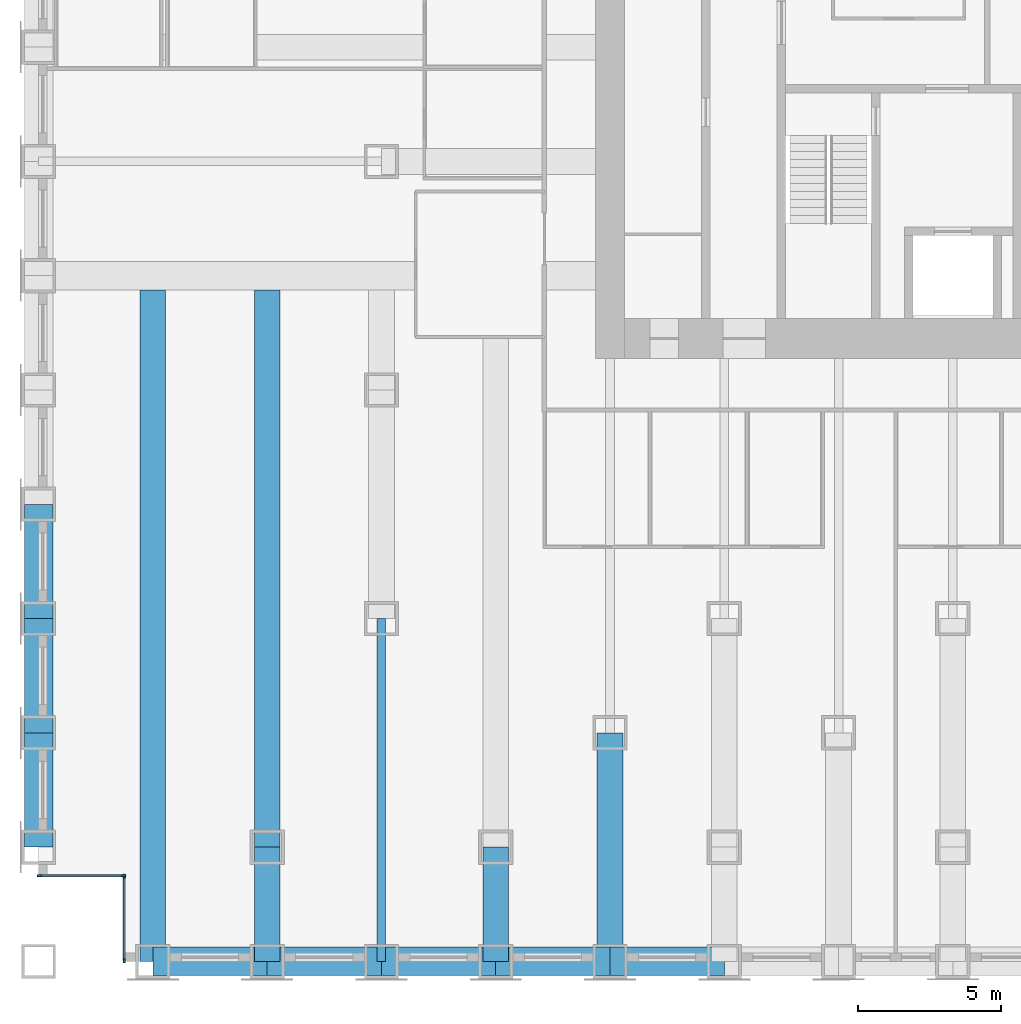
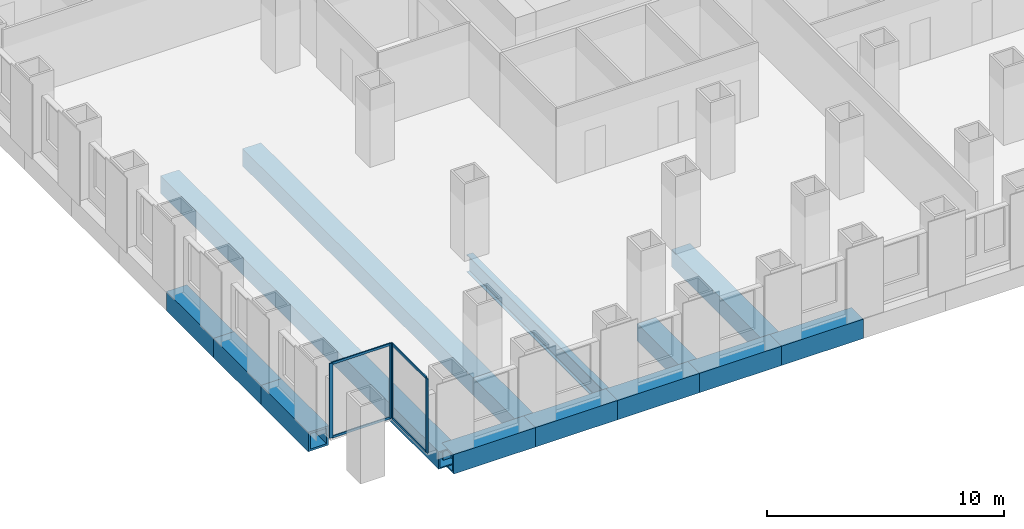
# One storey, part 2 of 15: 14 beams, 8 members, 2 elements without a shape of their own.
"""IFC4 building model written with IfcOpenShell, lengths in metres."""

from ifc_helpers import new_model, si_unit, direction, frame, origin, origin_2d, place, context, subcontext, project, spatial, rectangle, hollow_rectangle, i_section, extrude, material, material_profile, profile_set, type_object, element, aggregate, save


model = new_model("IFC4")

# Units and contexts
model_context = context("Model", 3, precision=1e-05, world=origin(), true_north=direction((0.0, 1.0)))
body_context = subcontext(model_context, "Body", "Model", "MODEL_VIEW")
ifc_project = project(units=[si_unit("LENGTHUNIT", "METRE"), si_unit("AREAUNIT", "SQUARE_METRE"), si_unit("VOLUMEUNIT", "CUBIC_METRE"), si_unit("PLANEANGLEUNIT", "RADIAN"), si_unit("MASSUNIT", "GRAM", prefix="KILO")], contexts=[model_context])

# Site, building, storey
site_placement = place(None, origin())
site = spatial("IfcSite", under=ifc_project, at=site_placement, CompositionType="ELEMENT")
building_placement = place(site_placement, origin())
building = spatial("IfcBuilding", under=site, at=building_placement, Name="Rimbunsela Tower", CompositionType="ELEMENT")
storey_placement = place(building_placement, frame((0.0, 0.0, 23.0)))
storey = spatial("IfcBuildingStorey", under=building, at=storey_placement, Name="L05", CompositionType="ELEMENT", Elevation=23.0)

# Beams
ifc_material_1 = material(Name="Steel BJ 55 (fy 410 MPa)", Category="steel")
ifc_material_profile_1 = material_profile(ifc_material_1, hollow_rectangle(XDim=1.0, YDim=1.0, WallThickness=0.10009765625, at=origin_2d()), Name="BOX 1000x1000x100")
ifc_profile_set_1 = profile_set([ifc_material_profile_1], Name="Steel BJ 55 (fy 410 MPa)")
beam_type_1 = type_object("IfcBeamType", Name="Beam BOX 1000x1000x100", PredefinedType="BEAM", material=ifc_profile_set_1)
for number, where, z_axis, x_axis, name in (
    (1, (-2.0, 0.0, -0.64990234375), (0.0, 1.0, 0.0), (-1.0, 0.0, 0.0), "Beam B3 L05"),
    (2, (-2.0, 4.0, -0.64990234375), (0.0, 1.0, 0.0), (-1.0, 0.0, 0.0), "Beam B3 L05"),
    (3, (-2.0, 8.0, -0.64990234375), (0.0, 1.0, 0.0), (-1.0, 0.0, 0.0), "Beam B3 L05"),
    (4, (2.0, -4.0, -0.64990234375), (1.0, 0.0, 0.0), (0.0, 1.0, 0.0), "Beam B3 L05"),
    (5, (6.0, -4.0, -0.64990234375), (1.0, 0.0, 0.0), (0.0, 1.0, 0.0), "Beam B3 L05"),
    (6, (10.0, -4.0, -0.64990234375), (1.0, 0.0, 0.0), (0.0, 1.0, 0.0), "Beam B3 L05"),
    (7, (14.0, -4.0, -0.64990234375), (1.0, 0.0, 0.0), (0.0, 1.0, 0.0), "Beam B3 L05"),
    (8, (18.0, -4.0, -0.64990234375), (1.0, 0.0, 0.0), (0.0, 1.0, 0.0), "Beam B3 L05"),
):
    element("IfcBeam", number, at=place(storey_placement, frame(where, z_axis=z_axis, x_axis=x_axis)), inside=storey, type_object=beam_type_1, Name=name, PredefinedType="BEAM", context=body_context, shape_type="SweptSolid", body=[
        extrude(hollow_rectangle(XDim=1.0, YDim=1.0, WallThickness=0.10009765625, at=origin_2d()), origin(), (0.0, 0.0, 1.0), 4.0),
    ])
ifc_material_2 = material(Name="Steel BJ 55 (fy 410 MPa)", Category="steel")
ifc_material_profile_2 = material_profile(ifc_material_2, hollow_rectangle(XDim=0.89990234375, YDim=0.89990234375, WallThickness=0.06005859375, at=origin_2d()), Name="BOX 900x900x60")
ifc_profile_set_2 = profile_set([ifc_material_profile_2], Name="Steel BJ 55 (fy 410 MPa)")
beam_type_2 = type_object("IfcBeamType", Name="Beam BOX 900x900x60", PredefinedType="BEAM", material=ifc_profile_set_2)
beam_1_placement = place(storey_placement, frame((2.0, -4.0, -0.60009765625), z_axis=(0.0, 1.0, 0.0), x_axis=(-1.0, 0.0, 0.0)))
element("IfcBeam", 9, at=beam_1_placement, inside=storey, type_object=beam_type_2, Name="Beam B1 L05", PredefinedType="BEAM", context=body_context, shape_type="SweptSolid", body=[
    extrude(hollow_rectangle(XDim=0.89990234375, YDim=0.89990234375, WallThickness=0.06005859375, at=origin_2d()), origin(), (0.0, 0.0, 1.0), 23.5),
])
beam_2_placement = place(storey_placement, frame((6.0, -4.0, -0.60009765625), z_axis=(0.0, 1.0, 0.0), x_axis=(-1.0, 0.0, 0.0)))
element("IfcBeam", 10, at=beam_2_placement, inside=storey, type_object=beam_type_2, Name="Beam B1 L05", PredefinedType="BEAM", context=body_context, shape_type="SweptSolid", body=[
    extrude(hollow_rectangle(XDim=0.89990234375, YDim=0.89990234375, WallThickness=0.06005859375, at=origin_2d()), origin(), (0.0, 0.0, 1.0), 4.0),
])
beam_3_placement = place(storey_placement, frame((6.0, 0.0, -0.60009765625), z_axis=(0.0, 1.0, 0.0), x_axis=(-1.0, 0.0, 0.0)))
element("IfcBeam", 11, at=beam_3_placement, inside=storey, type_object=beam_type_2, Name="Beam B1 L05", PredefinedType="BEAM", context=body_context, shape_type="SweptSolid", body=[
    extrude(hollow_rectangle(XDim=0.89990234375, YDim=0.89990234375, WallThickness=0.06005859375, at=origin_2d()), origin(), (0.0, 0.0, 1.0), 19.5),
])
beam_4_placement = place(storey_placement, frame((14.0, -4.0, -0.60009765625), z_axis=(0.0, 1.0, 0.0), x_axis=(-1.0, 0.0, 0.0)))
element("IfcBeam", 12, at=beam_4_placement, inside=storey, type_object=beam_type_2, Name="Beam B1 L05", PredefinedType="BEAM", context=body_context, shape_type="SweptSolid", body=[
    extrude(hollow_rectangle(XDim=0.89990234375, YDim=0.89990234375, WallThickness=0.06005859375, at=origin_2d()), origin(), (0.0, 0.0, 1.0), 4.0),
])
beam_5_placement = place(storey_placement, frame((18.0, -4.0, -0.60009765625), z_axis=(0.0, 1.0, 0.0), x_axis=(-1.0, 0.0, 0.0)))
element("IfcBeam", 13, at=beam_5_placement, inside=storey, type_object=beam_type_2, Name="Beam B1 L05", PredefinedType="BEAM", context=body_context, shape_type="SweptSolid", body=[
    extrude(hollow_rectangle(XDim=0.89990234375, YDim=0.89990234375, WallThickness=0.06005859375, at=origin_2d()), origin(), (0.0, 0.0, 1.0), 8.0),
])
ifc_material_3 = material(Name="Steel BJ 55 (fy 410 MPa)", Category="steel")
ifc_material_profile_3 = material_profile(ifc_material_3, i_section(OverallWidth=0.300048828125, OverallDepth=0.89990234375, WebThickness=0.01611328125, FlangeThickness=0.028076171875, FilletRadius=0.028076171875, at=origin_2d()), Name="H 900x300x16x28")
ifc_profile_set_3 = profile_set([ifc_material_profile_3], Name="Steel BJ 55 (fy 410 MPa)")
beam_type_3 = type_object("IfcBeamType", Name="Beam H 900x300x16x28", PredefinedType="BEAM", material=ifc_profile_set_3)
beam_6_placement = place(storey_placement, frame((10.0, -4.0, -0.60009765625), z_axis=(0.0, 1.0, 0.0), x_axis=(-1.0, 0.0, 0.0)))
element("IfcBeam", 14, at=beam_6_placement, inside=storey, type_object=beam_type_3, Name="Beam B2 L05", PredefinedType="BEAM", context=body_context, shape_type="SweptSolid", body=[
    extrude(i_section(OverallWidth=0.300048828125, OverallDepth=0.89990234375, WebThickness=0.01611328125, FlangeThickness=0.028076171875, FilletRadius=0.028076171875, at=origin_2d()), origin(), (0.0, 0.0, 1.0), 12.0),
])

# Curtain wall, members
ifc_material_4 = material(Name="Aluminium curtain wall", Category="aluminium")
curtain_wall_type = type_object("IfcCurtainWallType", Name="Corner glazing", PredefinedType="USERDEFINED", material=ifc_material_4)
curtain_wall_1_placement = place(storey_placement, origin())
curtain_wall_1 = element("IfcCurtainWall", 15, at=curtain_wall_1_placement, inside=storey, type_object=curtain_wall_type, Name="Corner glazing L05", ObjectType="CORNER GLAZING", PredefinedType="USERDEFINED")
ifc_material_5 = material(Name="Aluminium mullion", Category="aluminium")
ifc_material_profile_4 = material_profile(ifc_material_5, rectangle(XDim=0.06005859375, YDim=0.159912109375, at=origin_2d()), Name="Mullion 60x160")
ifc_profile_set_4 = profile_set([ifc_material_profile_4], Name="Aluminium mullion")
member_type_1 = type_object("IfcMemberType", Name="Curtain wall mullion 60x160", PredefinedType="MULLION", material=ifc_profile_set_4)
member_1_placement = place(storey_placement, frame((-1.969970703125, -1.0, 0.0), z_axis=(0.0, 0.0, 1.0), x_axis=(0.0, 1.0, 0.0)))
member_1 = element("IfcMember", 16, at=member_1_placement, type_object=member_type_1, Name="CW5 mullion 1", PredefinedType="MULLION", context=body_context, shape_type="SweptSolid", body=[
    extrude(rectangle(XDim=0.06005859375, YDim=0.159912109375, at=origin_2d()), origin(), (0.0, 0.0, 1.0), 3.85009765625),
])
member_2_placement = place(storey_placement, frame((0.969970703125, -1.0, 0.0), z_axis=(0.0, 0.0, 1.0), x_axis=(0.0, 1.0, 0.0)))
member_2 = element("IfcMember", 17, at=member_2_placement, type_object=member_type_1, Name="CW5 mullion 2", PredefinedType="MULLION", context=body_context, shape_type="SweptSolid", body=[
    extrude(rectangle(XDim=0.06005859375, YDim=0.159912109375, at=origin_2d()), origin(), (0.0, 0.0, 1.0), 3.85009765625),
])

curtain_wall_2_placement = place(storey_placement, origin())
curtain_wall_2 = element("IfcCurtainWall", 18, at=curtain_wall_2_placement, inside=storey, type_object=curtain_wall_type, Name="Corner glazing L05", ObjectType="CORNER GLAZING", PredefinedType="USERDEFINED")
member_3_placement = place(storey_placement, frame((1.0, -1.030029296875, 0.0), z_axis=(0.0, 0.0, 1.0), x_axis=(1.0, 0.0, 0.0)))
member_3 = element("IfcMember", 19, at=member_3_placement, type_object=member_type_1, Name="CW5 mullion 1", PredefinedType="MULLION", context=body_context, shape_type="SweptSolid", body=[
    extrude(rectangle(XDim=0.06005859375, YDim=0.159912109375, at=origin_2d()), origin(), (0.0, 0.0, 1.0), 3.85009765625),
])
member_4_placement = place(storey_placement, frame((1.0, -3.969970703125, 0.0), z_axis=(0.0, 0.0, 1.0), x_axis=(1.0, 0.0, 0.0)))
member_4 = element("IfcMember", 20, at=member_4_placement, type_object=member_type_1, Name="CW5 mullion 2", PredefinedType="MULLION", context=body_context, shape_type="SweptSolid", body=[
    extrude(rectangle(XDim=0.06005859375, YDim=0.159912109375, at=origin_2d()), origin(), (0.0, 0.0, 1.0), 3.85009765625),
])

# Member
ifc_material_6 = material(Name="Aluminium transom", Category="aluminium")
ifc_material_profile_5 = material_profile(ifc_material_6, rectangle(XDim=0.06005859375, YDim=0.1201171875, at=origin_2d()), Name="Transom 60x120")
ifc_profile_set_5 = profile_set([ifc_material_profile_5], Name="Aluminium transom")
member_type_2 = type_object("IfcMemberType", Name="Curtain wall transom 60x120", PredefinedType="USERDEFINED", material=ifc_profile_set_5)
member_5_placement = place(storey_placement, frame((-1.93994140625, -1.0, 0.030029296875), z_axis=(1.0, 0.0, 0.0), x_axis=(0.0, 1.0, 0.0)))
member_5 = element("IfcMember", 21, at=member_5_placement, type_object=member_type_2, Name="CW5 transom 1.1", ObjectType="TRANSOM", PredefinedType="USERDEFINED", context=body_context, shape_type="SweptSolid", body=[
    extrude(rectangle(XDim=0.06005859375, YDim=0.1201171875, at=origin_2d()), origin(), (0.0, 0.0, 1.0), 2.8798828125),
])

member_6_placement = place(storey_placement, frame((-1.93994140625, -1.0, 3.820068359375), z_axis=(1.0, 0.0, 0.0), x_axis=(0.0, 1.0, 0.0)))
member_6 = element("IfcMember", 22, at=member_6_placement, type_object=member_type_2, Name="CW5 transom 1.2", ObjectType="TRANSOM", PredefinedType="USERDEFINED", context=body_context, shape_type="SweptSolid", body=[
    extrude(rectangle(XDim=0.06005859375, YDim=0.1201171875, at=origin_2d()), origin(), (0.0, 0.0, 1.0), 2.8798828125),
])

aggregate(curtain_wall_1, [member_1, member_2, member_5, member_6])

member_7_placement = place(storey_placement, frame((1.0, -1.06005859375, 0.030029296875), z_axis=(0.0, -1.0, 0.0), x_axis=(1.0, 0.0, 0.0)))
member_7 = element("IfcMember", 23, at=member_7_placement, type_object=member_type_2, Name="CW5 transom 1.1", ObjectType="TRANSOM", PredefinedType="USERDEFINED", context=body_context, shape_type="SweptSolid", body=[
    extrude(rectangle(XDim=0.06005859375, YDim=0.1201171875, at=origin_2d()), origin(), (0.0, 0.0, 1.0), 2.8798828125),
])

member_8_placement = place(storey_placement, frame((1.0, -1.06005859375, 3.820068359375), z_axis=(0.0, -1.0, 0.0), x_axis=(1.0, 0.0, 0.0)))
member_8 = element("IfcMember", 24, at=member_8_placement, type_object=member_type_2, Name="CW5 transom 1.2", ObjectType="TRANSOM", PredefinedType="USERDEFINED", context=body_context, shape_type="SweptSolid", body=[
    extrude(rectangle(XDim=0.06005859375, YDim=0.1201171875, at=origin_2d()), origin(), (0.0, 0.0, 1.0), 2.8798828125),
])

aggregate(curtain_wall_2, [member_3, member_4, member_7, member_8])

save(model, "model.ifc")
